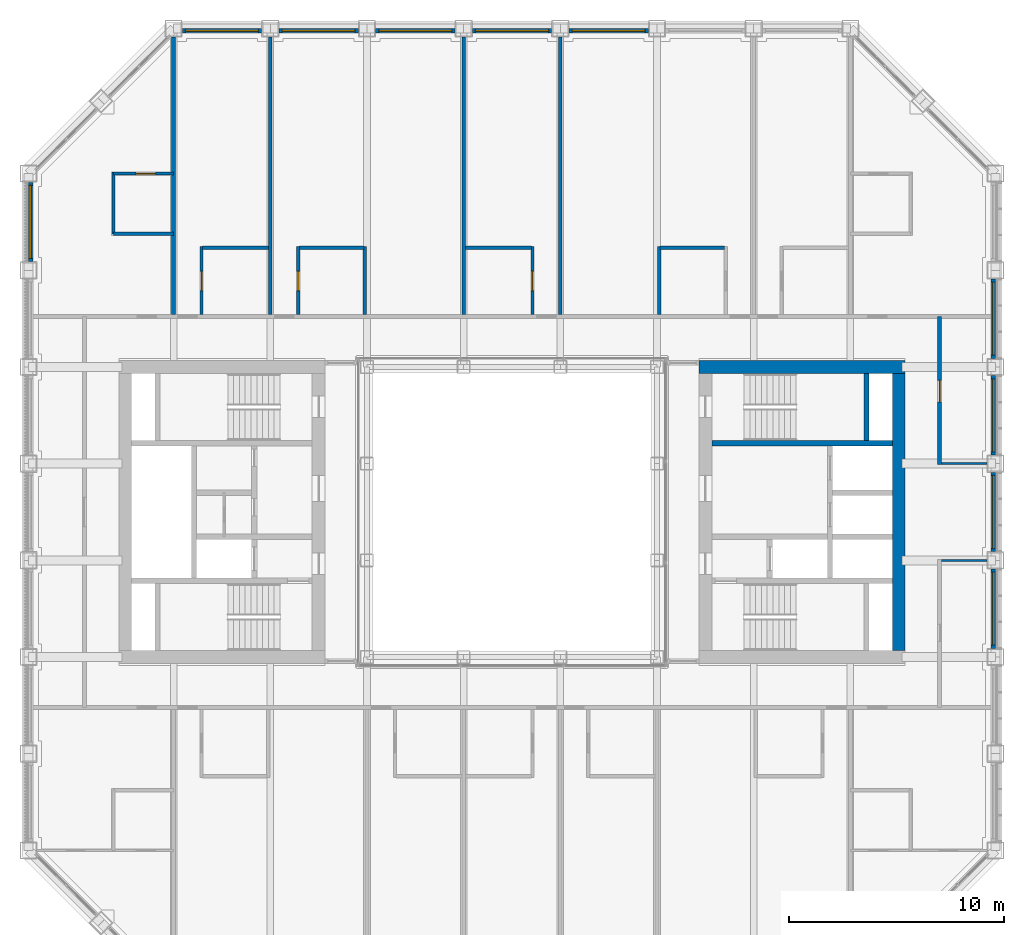
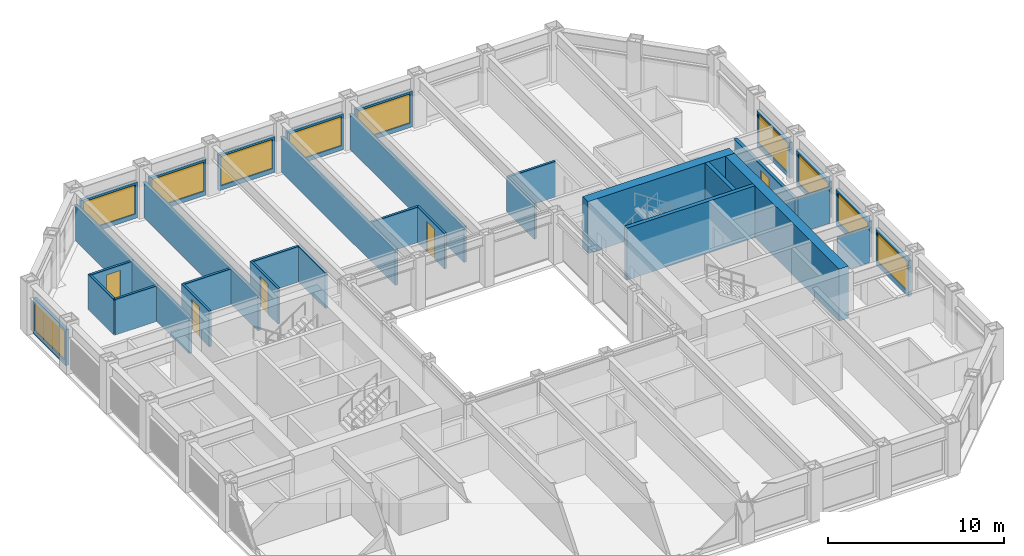
# One storey, part 13 of 17: 33 walls, 10 windows, 5 doors, 15 openings.
"""IFC4 building model written with IfcOpenShell, lengths in metres."""

from ifc_helpers import new_model, si_unit, direction, frame, frame_2d, origin, place, context, subcontext, project, spatial, rectangle, extrude, material, layer, layer_set, type_object, element, fill, save


model = new_model("IFC4")

# Units and contexts
model_context = context("Model", 3, precision=1e-05, world=origin(), true_north=direction((0.0, 1.0)))
body_context = subcontext(model_context, "Body", "Model", "MODEL_VIEW")
ifc_project = project(units=[si_unit("LENGTHUNIT", "METRE"), si_unit("AREAUNIT", "SQUARE_METRE"), si_unit("VOLUMEUNIT", "CUBIC_METRE"), si_unit("PLANEANGLEUNIT", "RADIAN"), si_unit("MASSUNIT", "GRAM", prefix="KILO")], contexts=[model_context])

# Site, building, storey
site_placement = place(None, origin())
site = spatial("IfcSite", under=ifc_project, at=site_placement, CompositionType="ELEMENT")
building_placement = place(site_placement, origin())
building = spatial("IfcBuilding", under=site, at=building_placement, Name="Msasa Ring Tower", CompositionType="ELEMENT")
storey_placement = place(building_placement, frame((0.0, 0.0, 158.0)))
storey = spatial("IfcBuildingStorey", under=building, at=storey_placement, Name="L41", CompositionType="ELEMENT", Elevation=158.0)

# Walls
ifc_material_1 = material(Name="Concrete C60/75", Category="concrete")
ifc_layer_1 = layer(ifc_material_1, 0.60009765625)
ifc_layer_set_1 = layer_set([ifc_layer_1], Name="CW2 CORE WALL 600")
wall_type_1 = type_object("IfcWallType", Name="CW2 CORE WALL 600", PredefinedType="SHEAR", material=ifc_layer_set_1)
wall_1_placement = place(storey_placement, frame((8.699951171875, 6.75, 0.0), z_axis=(0.0, 0.0, 1.0), x_axis=(1.0, 0.0, 0.0)))
element("IfcWall", 1, at=wall_1_placement, inside=storey, type_object=wall_type_1, Name="E core wall N L41", PredefinedType="SHEAR", context=body_context, shape_type="SweptSolid", body=[
    extrude(rectangle(XDim=9.60009765625, YDim=0.60009765625, at=frame_2d((4.800048828125, 0.0))), origin(), (0.0, 0.0, 1.0), 3.60009765625),
])
wall_2_placement = place(storey_placement, frame((18.0, -6.449951171875, 0.0), z_axis=(0.0, 0.0, 1.0), x_axis=(0.0, 1.0, 0.0)))
element("IfcWall", 2, at=wall_2_placement, inside=storey, type_object=wall_type_1, Name="E core wall E L41", PredefinedType="SHEAR", context=body_context, shape_type="SweptSolid", body=[
    extrude(rectangle(XDim=12.89990234375, YDim=0.60009765625, at=frame_2d((6.449951171875, 0.0))), origin(), (0.0, 0.0, 1.0), 3.60009765625),
])
ifc_material_2 = material(Name="Concrete C60/75", Category="concrete")
ifc_layer_2 = layer(ifc_material_2, 0.25)
ifc_layer_set_2 = layer_set([ifc_layer_2], Name="CW4 CORE INNER WALL 250")
wall_type_2 = type_object("IfcWallType", Name="CW4 CORE INNER WALL 250", PredefinedType="SHEAR", material=ifc_layer_set_2)
wall_3_placement = place(storey_placement, frame((9.300048828125, 3.199951171875, 0.0), z_axis=(0.0, 0.0, 1.0), x_axis=(1.0, 0.0, 0.0)))
element("IfcWall", 3, at=wall_3_placement, inside=storey, type_object=wall_type_2, Name="E core wall STAIRB L41", PredefinedType="SHEAR", context=body_context, shape_type="SweptSolid", body=[
    extrude(rectangle(XDim=8.39990234375, YDim=0.25, at=frame_2d((4.199951171875, 0.0))), origin(), (0.0, 0.0, 1.0), 3.60009765625),
])
wall_4_placement = place(storey_placement, frame((16.5, 3.324951171875, 0.0), z_axis=(0.0, 0.0, 1.0), x_axis=(0.0, 1.0, 0.0)))
element("IfcWall", 4, at=wall_4_placement, inside=storey, type_object=wall_type_2, Name="E core wall RISERB L41", PredefinedType="SHEAR", context=body_context, shape_type="SweptSolid", body=[
    extrude(rectangle(XDim=3.125, YDim=0.25, at=frame_2d((1.5625, 0.0))), origin(), (0.0, 0.0, 1.0), 3.60009765625),
])

# Wall, opening, window
ifc_material_3 = material(Name="Terracotta rainscreen on blockwork", Category="masonry")
ifc_layer_3 = layer(ifc_material_3, 0.199951171875)
ifc_layer_set_3 = layer_set([ifc_layer_3], Name="FW1 TERRACOTTA-LINED INFILL BAY WALL 200")
wall_type_3 = type_object("IfcWallType", Name="FW1 TERRACOTTA-LINED INFILL BAY WALL 200", PredefinedType="SOLIDWALL", material=ifc_layer_set_3)
wall_5_placement = place(storey_placement, frame((22.39990234375, -6.344970703125, 0.0), z_axis=(0.0, 0.0, 1.0), x_axis=(0.0, 1.0, 0.0)))
wall_5 = element("IfcWall", 5, at=wall_5_placement, inside=storey, type_object=wall_type_3, Name="Infill bay wall E L41 11", PredefinedType="SOLIDWALL", context=body_context, shape_type="SweptSolid", body=[
    extrude(rectangle(XDim=3.68994140625, YDim=0.199951171875, at=frame_2d((1.844970703125, 0.0))), origin(), (0.0, 0.0, 1.0), 2.47900390625),
])
opening_1_placement = place(wall_5_placement, frame((0.14501953125, 0.0, 0.300048828125)))
opening_1 = element("IfcOpeningElement", 6, at=opening_1_placement, cuts=wall_5, Name="Opening WN2", PredefinedType="OPENING", context=body_context, shape_type="SweptSolid", body=[
    extrude(rectangle(XDim=3.39990234375, YDim=2.029052734375, at=frame_2d((1.699951171875, 1.0146484375))), frame((0.0, 0.10986328125, 0.0), z_axis=(0.0, -1.0, 0.0), x_axis=(1.0, 0.0, 0.0)), (0.0, 0.0, 1.0), 0.219970703125),
])
ifc_material_4 = material(Name="Aluminium frame with clear glass", Category="aluminium")
window_type = type_object("IfcWindowType", Name="WN2 GUEST ROOM WINDOW 3400x2029", PartitioningType="SINGLE_PANEL", PredefinedType="WINDOW", material=ifc_material_4)
window_1_placement = place(opening_1_placement, origin())
window_1 = element("IfcWindow", 7, at=window_1_placement, inside=storey, type_object=window_type, Name="Window E L41 11", OverallHeight=2.029052734375, OverallWidth=3.39990234375, PartitioningType="SINGLE_PANEL", PredefinedType="WINDOW", context=body_context, shape_type="SweptSolid", body=[
    extrude(rectangle(XDim=3.39990234375, YDim=2.029052734375, at=frame_2d((1.699951171875, 1.0146484375))), frame((0.0, 0.030029296875, 0.0), z_axis=(0.0, -1.0, 0.0), x_axis=(1.0, 0.0, 0.0)), (0.0, 0.0, 1.0), 0.06005859375),
])
fill(opening_1, window_1)

wall_6_placement = place(storey_placement, frame((22.39990234375, -1.844970703125, 0.0), z_axis=(0.0, 0.0, 1.0), x_axis=(0.0, 1.0, 0.0)))
wall_6 = element("IfcWall", 8, at=wall_6_placement, inside=storey, type_object=wall_type_3, Name="Infill bay wall E L41 12", PredefinedType="SOLIDWALL", context=body_context, shape_type="SweptSolid", body=[
    extrude(rectangle(XDim=3.68994140625, YDim=0.199951171875, at=frame_2d((1.844970703125, 0.0))), origin(), (0.0, 0.0, 1.0), 2.47900390625),
])
opening_2_placement = place(wall_6_placement, frame((0.14501953125, 0.0, 0.300048828125)))
opening_2 = element("IfcOpeningElement", 9, at=opening_2_placement, cuts=wall_6, Name="Opening WN2", PredefinedType="OPENING", context=body_context, shape_type="SweptSolid", body=[
    extrude(rectangle(XDim=3.39990234375, YDim=2.029052734375, at=frame_2d((1.699951171875, 1.0146484375))), frame((0.0, 0.10986328125, 0.0), z_axis=(0.0, -1.0, 0.0), x_axis=(1.0, 0.0, 0.0)), (0.0, 0.0, 1.0), 0.219970703125),
])
window_2_placement = place(opening_2_placement, origin())
window_2 = element("IfcWindow", 10, at=window_2_placement, inside=storey, type_object=window_type, Name="Window E L41 12", OverallHeight=2.029052734375, OverallWidth=3.39990234375, PartitioningType="SINGLE_PANEL", PredefinedType="WINDOW", context=body_context, shape_type="SweptSolid", body=[
    extrude(rectangle(XDim=3.39990234375, YDim=2.029052734375, at=frame_2d((1.699951171875, 1.0146484375))), frame((0.0, 0.030029296875, 0.0), z_axis=(0.0, -1.0, 0.0), x_axis=(1.0, 0.0, 0.0)), (0.0, 0.0, 1.0), 0.06005859375),
])
fill(opening_2, window_2)

wall_7_placement = place(storey_placement, frame((22.39990234375, 2.655029296875, 0.0), z_axis=(0.0, 0.0, 1.0), x_axis=(0.0, 1.0, 0.0)))
wall_7 = element("IfcWall", 11, at=wall_7_placement, inside=storey, type_object=wall_type_3, Name="Infill bay wall E L41 13", PredefinedType="SOLIDWALL", context=body_context, shape_type="SweptSolid", body=[
    extrude(rectangle(XDim=3.68994140625, YDim=0.199951171875, at=frame_2d((1.844970703125, 0.0))), origin(), (0.0, 0.0, 1.0), 2.47900390625),
])
opening_3_placement = place(wall_7_placement, frame((0.14501953125, 0.0, 0.300048828125)))
opening_3 = element("IfcOpeningElement", 12, at=opening_3_placement, cuts=wall_7, Name="Opening WN2", PredefinedType="OPENING", context=body_context, shape_type="SweptSolid", body=[
    extrude(rectangle(XDim=3.39990234375, YDim=2.029052734375, at=frame_2d((1.699951171875, 1.0146484375))), frame((0.0, 0.10986328125, 0.0), z_axis=(0.0, -1.0, 0.0), x_axis=(1.0, 0.0, 0.0)), (0.0, 0.0, 1.0), 0.219970703125),
])
window_3_placement = place(opening_3_placement, origin())
window_3 = element("IfcWindow", 13, at=window_3_placement, inside=storey, type_object=window_type, Name="Window E L41 13", OverallHeight=2.029052734375, OverallWidth=3.39990234375, PartitioningType="SINGLE_PANEL", PredefinedType="WINDOW", context=body_context, shape_type="SweptSolid", body=[
    extrude(rectangle(XDim=3.39990234375, YDim=2.029052734375, at=frame_2d((1.699951171875, 1.0146484375))), frame((0.0, 0.030029296875, 0.0), z_axis=(0.0, -1.0, 0.0), x_axis=(1.0, 0.0, 0.0)), (0.0, 0.0, 1.0), 0.06005859375),
])
fill(opening_3, window_3)

wall_8_placement = place(storey_placement, frame((22.39990234375, 7.155029296875, 0.0), z_axis=(0.0, 0.0, 1.0), x_axis=(0.0, 1.0, 0.0)))
wall_8 = element("IfcWall", 14, at=wall_8_placement, inside=storey, type_object=wall_type_3, Name="Infill bay wall E L41 14", PredefinedType="SOLIDWALL", context=body_context, shape_type="SweptSolid", body=[
    extrude(rectangle(XDim=3.68994140625, YDim=0.199951171875, at=frame_2d((1.844970703125, 0.0))), origin(), (0.0, 0.0, 1.0), 2.47900390625),
])
opening_4_placement = place(wall_8_placement, frame((0.14501953125, 0.0, 0.300048828125)))
opening_4 = element("IfcOpeningElement", 15, at=opening_4_placement, cuts=wall_8, Name="Opening WN2", PredefinedType="OPENING", context=body_context, shape_type="SweptSolid", body=[
    extrude(rectangle(XDim=3.39990234375, YDim=2.029052734375, at=frame_2d((1.699951171875, 1.0146484375))), frame((0.0, 0.10986328125, 0.0), z_axis=(0.0, -1.0, 0.0), x_axis=(1.0, 0.0, 0.0)), (0.0, 0.0, 1.0), 0.219970703125),
])
window_4_placement = place(opening_4_placement, origin())
window_4 = element("IfcWindow", 16, at=window_4_placement, inside=storey, type_object=window_type, Name="Window E L41 14", OverallHeight=2.029052734375, OverallWidth=3.39990234375, PartitioningType="SINGLE_PANEL", PredefinedType="WINDOW", context=body_context, shape_type="SweptSolid", body=[
    extrude(rectangle(XDim=3.39990234375, YDim=2.029052734375, at=frame_2d((1.699951171875, 1.0146484375))), frame((0.0, 0.030029296875, 0.0), z_axis=(0.0, -1.0, 0.0), x_axis=(1.0, 0.0, 0.0)), (0.0, 0.0, 1.0), 0.06005859375),
])
fill(opening_4, window_4)

wall_9_placement = place(storey_placement, frame((-15.344970703125, 22.39990234375, 0.0), z_axis=(0.0, 0.0, 1.0), x_axis=(1.0, 0.0, 0.0)))
wall_9 = element("IfcWall", 17, at=wall_9_placement, inside=storey, type_object=wall_type_3, Name="Infill bay wall N L41 18", PredefinedType="SOLIDWALL", context=body_context, shape_type="SweptSolid", body=[
    extrude(rectangle(XDim=3.68994140625, YDim=0.199951171875, at=frame_2d((1.844970703125, 0.0))), origin(), (0.0, 0.0, 1.0), 2.47900390625),
])
opening_5_placement = place(wall_9_placement, frame((0.14501953125, 0.0, 0.300048828125)))
opening_5 = element("IfcOpeningElement", 18, at=opening_5_placement, cuts=wall_9, Name="Opening WN2", PredefinedType="OPENING", context=body_context, shape_type="SweptSolid", body=[
    extrude(rectangle(XDim=3.39990234375, YDim=2.029052734375, at=frame_2d((1.699951171875, 1.0146484375))), frame((0.0, 0.10986328125, 0.0), z_axis=(0.0, -1.0, 0.0), x_axis=(1.0, 0.0, 0.0)), (0.0, 0.0, 1.0), 0.219970703125),
])
window_5_placement = place(opening_5_placement, origin())
window_5 = element("IfcWindow", 19, at=window_5_placement, inside=storey, type_object=window_type, Name="Window N L41 18", OverallHeight=2.029052734375, OverallWidth=3.39990234375, PartitioningType="SINGLE_PANEL", PredefinedType="WINDOW", context=body_context, shape_type="SweptSolid", body=[
    extrude(rectangle(XDim=3.39990234375, YDim=2.029052734375, at=frame_2d((1.699951171875, 1.0146484375))), frame((0.0, 0.030029296875, 0.0), z_axis=(0.0, -1.0, 0.0), x_axis=(1.0, 0.0, 0.0)), (0.0, 0.0, 1.0), 0.06005859375),
])
fill(opening_5, window_5)

wall_10_placement = place(storey_placement, frame((-10.844970703125, 22.39990234375, 0.0), z_axis=(0.0, 0.0, 1.0), x_axis=(1.0, 0.0, 0.0)))
wall_10 = element("IfcWall", 20, at=wall_10_placement, inside=storey, type_object=wall_type_3, Name="Infill bay wall N L41 19", PredefinedType="SOLIDWALL", context=body_context, shape_type="SweptSolid", body=[
    extrude(rectangle(XDim=3.68994140625, YDim=0.199951171875, at=frame_2d((1.844970703125, 0.0))), origin(), (0.0, 0.0, 1.0), 2.47900390625),
])
opening_6_placement = place(wall_10_placement, frame((0.14501953125, 0.0, 0.300048828125)))
opening_6 = element("IfcOpeningElement", 21, at=opening_6_placement, cuts=wall_10, Name="Opening WN2", PredefinedType="OPENING", context=body_context, shape_type="SweptSolid", body=[
    extrude(rectangle(XDim=3.39990234375, YDim=2.029052734375, at=frame_2d((1.699951171875, 1.0146484375))), frame((0.0, 0.10986328125, 0.0), z_axis=(0.0, -1.0, 0.0), x_axis=(1.0, 0.0, 0.0)), (0.0, 0.0, 1.0), 0.219970703125),
])
window_6_placement = place(opening_6_placement, origin())
window_6 = element("IfcWindow", 22, at=window_6_placement, inside=storey, type_object=window_type, Name="Window N L41 19", OverallHeight=2.029052734375, OverallWidth=3.39990234375, PartitioningType="SINGLE_PANEL", PredefinedType="WINDOW", context=body_context, shape_type="SweptSolid", body=[
    extrude(rectangle(XDim=3.39990234375, YDim=2.029052734375, at=frame_2d((1.699951171875, 1.0146484375))), frame((0.0, 0.030029296875, 0.0), z_axis=(0.0, -1.0, 0.0), x_axis=(1.0, 0.0, 0.0)), (0.0, 0.0, 1.0), 0.06005859375),
])
fill(opening_6, window_6)

wall_11_placement = place(storey_placement, frame((-6.344970703125, 22.39990234375, 0.0), z_axis=(0.0, 0.0, 1.0), x_axis=(1.0, 0.0, 0.0)))
wall_11 = element("IfcWall", 23, at=wall_11_placement, inside=storey, type_object=wall_type_3, Name="Infill bay wall N L41 20", PredefinedType="SOLIDWALL", context=body_context, shape_type="SweptSolid", body=[
    extrude(rectangle(XDim=3.68994140625, YDim=0.199951171875, at=frame_2d((1.844970703125, 0.0))), origin(), (0.0, 0.0, 1.0), 2.47900390625),
])
opening_7_placement = place(wall_11_placement, frame((0.14501953125, 0.0, 0.300048828125)))
opening_7 = element("IfcOpeningElement", 24, at=opening_7_placement, cuts=wall_11, Name="Opening WN2", PredefinedType="OPENING", context=body_context, shape_type="SweptSolid", body=[
    extrude(rectangle(XDim=3.39990234375, YDim=2.029052734375, at=frame_2d((1.699951171875, 1.0146484375))), frame((0.0, 0.10986328125, 0.0), z_axis=(0.0, -1.0, 0.0), x_axis=(1.0, 0.0, 0.0)), (0.0, 0.0, 1.0), 0.219970703125),
])
window_7_placement = place(opening_7_placement, origin())
window_7 = element("IfcWindow", 25, at=window_7_placement, inside=storey, type_object=window_type, Name="Window N L41 20", OverallHeight=2.029052734375, OverallWidth=3.39990234375, PartitioningType="SINGLE_PANEL", PredefinedType="WINDOW", context=body_context, shape_type="SweptSolid", body=[
    extrude(rectangle(XDim=3.39990234375, YDim=2.029052734375, at=frame_2d((1.699951171875, 1.0146484375))), frame((0.0, 0.030029296875, 0.0), z_axis=(0.0, -1.0, 0.0), x_axis=(1.0, 0.0, 0.0)), (0.0, 0.0, 1.0), 0.06005859375),
])
fill(opening_7, window_7)

wall_12_placement = place(storey_placement, frame((-1.844970703125, 22.39990234375, 0.0), z_axis=(0.0, 0.0, 1.0), x_axis=(1.0, 0.0, 0.0)))
wall_12 = element("IfcWall", 26, at=wall_12_placement, inside=storey, type_object=wall_type_3, Name="Infill bay wall N L41 21", PredefinedType="SOLIDWALL", context=body_context, shape_type="SweptSolid", body=[
    extrude(rectangle(XDim=3.68994140625, YDim=0.199951171875, at=frame_2d((1.844970703125, 0.0))), origin(), (0.0, 0.0, 1.0), 2.47900390625),
])
opening_8_placement = place(wall_12_placement, frame((0.14501953125, 0.0, 0.300048828125)))
opening_8 = element("IfcOpeningElement", 27, at=opening_8_placement, cuts=wall_12, Name="Opening WN2", PredefinedType="OPENING", context=body_context, shape_type="SweptSolid", body=[
    extrude(rectangle(XDim=3.39990234375, YDim=2.029052734375, at=frame_2d((1.699951171875, 1.0146484375))), frame((0.0, 0.10986328125, 0.0), z_axis=(0.0, -1.0, 0.0), x_axis=(1.0, 0.0, 0.0)), (0.0, 0.0, 1.0), 0.219970703125),
])
window_8_placement = place(opening_8_placement, origin())
window_8 = element("IfcWindow", 28, at=window_8_placement, inside=storey, type_object=window_type, Name="Window N L41 21", OverallHeight=2.029052734375, OverallWidth=3.39990234375, PartitioningType="SINGLE_PANEL", PredefinedType="WINDOW", context=body_context, shape_type="SweptSolid", body=[
    extrude(rectangle(XDim=3.39990234375, YDim=2.029052734375, at=frame_2d((1.699951171875, 1.0146484375))), frame((0.0, 0.030029296875, 0.0), z_axis=(0.0, -1.0, 0.0), x_axis=(1.0, 0.0, 0.0)), (0.0, 0.0, 1.0), 0.06005859375),
])
fill(opening_8, window_8)

wall_13_placement = place(storey_placement, frame((2.655029296875, 22.39990234375, 0.0), z_axis=(0.0, 0.0, 1.0), x_axis=(1.0, 0.0, 0.0)))
wall_13 = element("IfcWall", 29, at=wall_13_placement, inside=storey, type_object=wall_type_3, Name="Infill bay wall N L41 22", PredefinedType="SOLIDWALL", context=body_context, shape_type="SweptSolid", body=[
    extrude(rectangle(XDim=3.68994140625, YDim=0.199951171875, at=frame_2d((1.844970703125, 0.0))), origin(), (0.0, 0.0, 1.0), 2.47900390625),
])
opening_9_placement = place(wall_13_placement, frame((0.14501953125, 0.0, 0.300048828125)))
opening_9 = element("IfcOpeningElement", 30, at=opening_9_placement, cuts=wall_13, Name="Opening WN2", PredefinedType="OPENING", context=body_context, shape_type="SweptSolid", body=[
    extrude(rectangle(XDim=3.39990234375, YDim=2.029052734375, at=frame_2d((1.699951171875, 1.0146484375))), frame((0.0, 0.10986328125, 0.0), z_axis=(0.0, -1.0, 0.0), x_axis=(1.0, 0.0, 0.0)), (0.0, 0.0, 1.0), 0.219970703125),
])
window_9_placement = place(opening_9_placement, origin())
window_9 = element("IfcWindow", 31, at=window_9_placement, inside=storey, type_object=window_type, Name="Window N L41 22", OverallHeight=2.029052734375, OverallWidth=3.39990234375, PartitioningType="SINGLE_PANEL", PredefinedType="WINDOW", context=body_context, shape_type="SweptSolid", body=[
    extrude(rectangle(XDim=3.39990234375, YDim=2.029052734375, at=frame_2d((1.699951171875, 1.0146484375))), frame((0.0, 0.030029296875, 0.0), z_axis=(0.0, -1.0, 0.0), x_axis=(1.0, 0.0, 0.0)), (0.0, 0.0, 1.0), 0.06005859375),
])
fill(opening_9, window_9)

wall_14_placement = place(storey_placement, frame((-22.39990234375, 11.655029296875, 0.0), z_axis=(0.0, 0.0, 1.0), x_axis=(0.0, 1.0, 0.0)))
wall_14 = element("IfcWall", 32, at=wall_14_placement, inside=storey, type_object=wall_type_3, Name="Infill bay wall W L41 33", PredefinedType="SOLIDWALL", context=body_context, shape_type="SweptSolid", body=[
    extrude(rectangle(XDim=3.68994140625, YDim=0.199951171875, at=frame_2d((1.844970703125, 0.0))), origin(), (0.0, 0.0, 1.0), 2.47900390625),
])
opening_10_placement = place(wall_14_placement, frame((0.14501953125, 0.0, 0.300048828125)))
opening_10 = element("IfcOpeningElement", 33, at=opening_10_placement, cuts=wall_14, Name="Opening WN2", PredefinedType="OPENING", context=body_context, shape_type="SweptSolid", body=[
    extrude(rectangle(XDim=3.39990234375, YDim=2.029052734375, at=frame_2d((1.699951171875, 1.0146484375))), frame((0.0, 0.10986328125, 0.0), z_axis=(0.0, -1.0, 0.0), x_axis=(1.0, 0.0, 0.0)), (0.0, 0.0, 1.0), 0.219970703125),
])
window_10_placement = place(opening_10_placement, origin())
window_10 = element("IfcWindow", 34, at=window_10_placement, inside=storey, type_object=window_type, Name="Window W L41 33", OverallHeight=2.029052734375, OverallWidth=3.39990234375, PartitioningType="SINGLE_PANEL", PredefinedType="WINDOW", context=body_context, shape_type="SweptSolid", body=[
    extrude(rectangle(XDim=3.39990234375, YDim=2.029052734375, at=frame_2d((1.699951171875, 1.0146484375))), frame((0.0, 0.030029296875, 0.0), z_axis=(0.0, -1.0, 0.0), x_axis=(1.0, 0.0, 0.0)), (0.0, 0.0, 1.0), 0.06005859375),
])
fill(opening_10, window_10)

# Wall, opening, door
ifc_material_5 = material(Name="Concrete blockwork", Category="masonry")
ifc_layer_4 = layer(ifc_material_5, 0.199951171875)
ifc_layer_set_4 = layer_set([ifc_layer_4], Name="PT1 CORRIDOR WALL 200")
wall_type_4 = type_object("IfcWallType", Name="PT1 CORRIDOR WALL 200", PredefinedType="PARTITIONING", material=ifc_layer_set_4)
wall_15_placement = place(storey_placement, frame((19.89990234375, 2.199951171875, 0.0), z_axis=(0.0, 0.0, 1.0), x_axis=(0.0, 1.0, 0.0)))
wall_15 = element("IfcWall", 35, at=wall_15_placement, inside=storey, type_object=wall_type_4, Name="Corridor wall L41-STREN", PredefinedType="PARTITIONING", context=body_context, shape_type="SweptSolid", body=[
    extrude(rectangle(XDim=6.900146484375, YDim=0.199951171875, at=frame_2d((3.4501953125, 0.0))), origin(), (0.0, 0.0, 1.0), 2.473388671875),
])
opening_11_placement = place(wall_15_placement, frame((2.925048828125, 0.0, 0.0)))
opening_11 = element("IfcOpeningElement", 36, at=opening_11_placement, cuts=wall_15, Name="Opening HD-017", PredefinedType="OPENING", context=body_context, shape_type="SweptSolid", body=[
    extrude(rectangle(XDim=1.0, YDim=2.10009765625, at=frame_2d((0.5, 1.050048828125))), frame((0.0, 0.10986328125, 0.0), z_axis=(0.0, -1.0, 0.0), x_axis=(1.0, 0.0, 0.0)), (0.0, 0.0, 1.0), 0.219970703125),
])
ifc_material_6 = material(Name="Timber door leaf in a steel frame", Category="steel")
door_type_1 = type_object("IfcDoorType", Name="D10 STORE DOOR 1000x2100", OperationType="SINGLE_SWING_LEFT", PredefinedType="DOOR", material=ifc_material_6)
door_1_placement = place(opening_11_placement, origin())
door_1 = element("IfcDoor", 37, at=door_1_placement, inside=storey, type_object=door_type_1, Name="Door L41-LGE", OperationType="SINGLE_SWING_LEFT", OverallHeight=2.10009765625, OverallWidth=1.0, PredefinedType="DOOR", context=body_context, shape_type="SweptSolid", body=[
    extrude(rectangle(XDim=1.0, YDim=2.10009765625, at=frame_2d((0.5, 1.050048828125))), frame((0.0, 0.02490234375, 0.0), z_axis=(0.0, -1.0, 0.0), x_axis=(1.0, 0.0, 0.0)), (0.0, 0.0, 1.0), 0.050048828125),
])
fill(opening_11, door_1)

# Walls
ifc_material_7 = material(Name="Gypsum board on steel studs", Category="steel")
ifc_layer_5 = layer(ifc_material_7, 0.10009765625)
ifc_layer_set_5 = layer_set([ifc_layer_5], Name="PT2 STUD PARTITION 100")
wall_type_5 = type_object("IfcWallType", Name="PT2 STUD PARTITION 100", PredefinedType="PARTITIONING", material=ifc_layer_set_5)
for number, where, z_axis, x_axis, name in (
    (38, (20.0, 2.25, 0.0), (0.0, 0.0, 1.0), (1.0, 0.0, 0.0), "Partition L41-ALEN"),
    (39, (20.0, -2.25, 0.0), (0.0, 0.0, 1.0), (1.0, 0.0, 0.0), "Partition L41-ALES"),
):
    element("IfcWall", number, at=place(storey_placement, frame(where, z_axis=z_axis, x_axis=x_axis)), inside=storey, type_object=wall_type_5, Name=name, PredefinedType="PARTITIONING", context=body_context, shape_type="SweptSolid", body=[
        extrude(rectangle(XDim=2.10009765625, YDim=0.10009765625, at=frame_2d((1.050048828125, 0.0))), origin(), (0.0, 0.0, 1.0), 2.473388671875),
    ])

# Wall, opening, door
ifc_material_8 = material(Name="Moisture-resistant board on steel studs with a concealed cistern and pipe void, tiled", Category="steel")
ifc_layer_6 = layer(ifc_material_8, 0.14990234375)
ifc_layer_set_6 = layer_set([ifc_layer_6], Name="PT4 BATHROOM WET WALL 150")
wall_type_6 = type_object("IfcWallType", Name="PT4 BATHROOM WET WALL 150", PredefinedType="PARTITIONING", material=ifc_layer_set_6)
wall_16_placement = place(storey_placement, frame((-14.449951171875, 9.199951171875, 0.0), z_axis=(0.0, 0.0, 1.0), x_axis=(0.0, 1.0, 0.0)))
wall_16 = element("IfcWall", 40, at=wall_16_placement, inside=storey, type_object=wall_type_6, Name="Partition L41-GN00BX", PredefinedType="PARTITIONING", context=body_context, shape_type="SweptSolid", body=[
    extrude(rectangle(XDim=3.150146484375, YDim=0.14990234375, at=frame_2d((1.5751953125, 0.0))), origin(), (0.0, 0.0, 1.0), 2.473388671875),
])
opening_12_placement = place(wall_16_placement, frame((1.10009765625, 0.0, 0.0)))
opening_12 = element("IfcOpeningElement", 41, at=opening_12_placement, cuts=wall_16, Name="Opening HD-003", PredefinedType="OPENING", context=body_context, shape_type="SweptSolid", body=[
    extrude(rectangle(XDim=0.89990234375, YDim=2.10009765625, at=frame_2d((0.449951171875, 1.050048828125))), frame((0.0, 0.0849609375, 0.0), z_axis=(0.0, -1.0, 0.0), x_axis=(1.0, 0.0, 0.0)), (0.0, 0.0, 1.0), 0.169921875),
])
ifc_material_9 = material(Name="Timber door leaf in a steel frame", Category="steel")
door_type_2 = type_object("IfcDoorType", Name="D3 BATHROOM DOOR 900x2100", OperationType="SINGLE_SWING_LEFT", PredefinedType="DOOR", material=ifc_material_9)
door_2_placement = place(opening_12_placement, origin())
door_2 = element("IfcDoor", 42, at=door_2_placement, inside=storey, type_object=door_type_2, Name="Door L41-GN00B", OperationType="SINGLE_SWING_LEFT", OverallHeight=2.10009765625, OverallWidth=0.89990234375, PredefinedType="DOOR", context=body_context, shape_type="SweptSolid", body=[
    extrude(rectangle(XDim=0.89990234375, YDim=2.10009765625, at=frame_2d((0.449951171875, 1.050048828125))), frame((0.0, 0.02490234375, 0.0), z_axis=(0.0, -1.0, 0.0), x_axis=(1.0, 0.0, 0.0)), (0.0, 0.0, 1.0), 0.050048828125),
])
fill(opening_12, door_2)

# Wall
wall_17_placement = place(storey_placement, frame((-14.39990234375, 12.300048828125, 0.0), z_axis=(0.0, 0.0, 1.0), x_axis=(1.0, 0.0, 0.0)))
element("IfcWall", 43, at=wall_17_placement, inside=storey, type_object=wall_type_6, Name="Partition L41-GN00BY", PredefinedType="PARTITIONING", context=body_context, shape_type="SweptSolid", body=[
    extrude(rectangle(XDim=3.0625, YDim=0.14990234375, at=frame_2d((1.53125, 0.0))), origin(), (0.0, 0.0, 1.0), 2.473388671875),
])

# Wall, opening, door
wall_18_placement = place(storey_placement, frame((-9.949951171875, 9.199951171875, 0.0), z_axis=(0.0, 0.0, 1.0), x_axis=(0.0, 1.0, 0.0)))
wall_18 = element("IfcWall", 44, at=wall_18_placement, inside=storey, type_object=wall_type_6, Name="Partition L41-GN01BX", PredefinedType="PARTITIONING", context=body_context, shape_type="SweptSolid", body=[
    extrude(rectangle(XDim=3.150146484375, YDim=0.14990234375, at=frame_2d((1.5751953125, 0.0))), origin(), (0.0, 0.0, 1.0), 2.473388671875),
])
opening_13_placement = place(wall_18_placement, frame((1.10009765625, 0.0, 0.0)))
opening_13 = element("IfcOpeningElement", 45, at=opening_13_placement, cuts=wall_18, Name="Opening HD-004", PredefinedType="OPENING", context=body_context, shape_type="SweptSolid", body=[
    extrude(rectangle(XDim=0.89990234375, YDim=2.10009765625, at=frame_2d((0.449951171875, 1.050048828125))), frame((0.0, 0.0849609375, 0.0), z_axis=(0.0, -1.0, 0.0), x_axis=(1.0, 0.0, 0.0)), (0.0, 0.0, 1.0), 0.169921875),
])
door_3_placement = place(opening_13_placement, origin())
door_3 = element("IfcDoor", 46, at=door_3_placement, inside=storey, type_object=door_type_2, Name="Door L41-GN01B", OperationType="SINGLE_SWING_LEFT", OverallHeight=2.10009765625, OverallWidth=0.89990234375, PredefinedType="DOOR", context=body_context, shape_type="SweptSolid", body=[
    extrude(rectangle(XDim=0.89990234375, YDim=2.10009765625, at=frame_2d((0.449951171875, 1.050048828125))), frame((0.0, 0.02490234375, 0.0), z_axis=(0.0, -1.0, 0.0), x_axis=(1.0, 0.0, 0.0)), (0.0, 0.0, 1.0), 0.050048828125),
])
fill(opening_13, door_3)

# Walls
wall_19_placement = place(storey_placement, frame((-6.85009765625, 9.199951171875, 0.0), z_axis=(0.0, 0.0, 1.0), x_axis=(0.0, 1.0, 0.0)))
element("IfcWall", 47, at=wall_19_placement, inside=storey, type_object=wall_type_6, Name="Partition L41-GN01BF", PredefinedType="PARTITIONING", context=body_context, shape_type="SweptSolid", body=[
    extrude(rectangle(XDim=3.150146484375, YDim=0.14990234375, at=frame_2d((1.5751953125, 0.0))), origin(), (0.0, 0.0, 1.0), 2.473388671875),
])
wall_20_placement = place(storey_placement, frame((-9.89990234375, 12.300048828125, 0.0), z_axis=(0.0, 0.0, 1.0), x_axis=(1.0, 0.0, 0.0)))
element("IfcWall", 48, at=wall_20_placement, inside=storey, type_object=wall_type_6, Name="Partition L41-GN01BY", PredefinedType="PARTITIONING", context=body_context, shape_type="SweptSolid", body=[
    extrude(rectangle(XDim=3.0, YDim=0.14990234375, at=frame_2d((1.5, 0.0))), origin(), (0.0, 0.0, 1.0), 2.473388671875),
])

# Wall, opening, door
wall_21_placement = place(storey_placement, frame((0.949951171875, 9.199951171875, 0.0), z_axis=(0.0, 0.0, 1.0), x_axis=(0.0, 1.0, 0.0)))
wall_21 = element("IfcWall", 49, at=wall_21_placement, inside=storey, type_object=wall_type_6, Name="Partition L41-GN02BX", PredefinedType="PARTITIONING", context=body_context, shape_type="SweptSolid", body=[
    extrude(rectangle(XDim=3.150146484375, YDim=0.14990234375, at=frame_2d((1.5751953125, 0.0))), origin(), (0.0, 0.0, 1.0), 2.473388671875),
])
opening_14_placement = place(wall_21_placement, frame((1.10009765625, 0.0, 0.0)))
opening_14 = element("IfcOpeningElement", 50, at=opening_14_placement, cuts=wall_21, Name="Opening HD-005", PredefinedType="OPENING", context=body_context, shape_type="SweptSolid", body=[
    extrude(rectangle(XDim=0.89990234375, YDim=2.10009765625, at=frame_2d((0.449951171875, 1.050048828125))), frame((0.0, 0.0849609375, 0.0), z_axis=(0.0, -1.0, 0.0), x_axis=(1.0, 0.0, 0.0)), (0.0, 0.0, 1.0), 0.169921875),
])
door_4_placement = place(opening_14_placement, origin())
door_4 = element("IfcDoor", 51, at=door_4_placement, inside=storey, type_object=door_type_2, Name="Door L41-GN02B", OperationType="SINGLE_SWING_LEFT", OverallHeight=2.10009765625, OverallWidth=0.89990234375, PredefinedType="DOOR", context=body_context, shape_type="SweptSolid", body=[
    extrude(rectangle(XDim=0.89990234375, YDim=2.10009765625, at=frame_2d((0.449951171875, 1.050048828125))), frame((0.0, 0.02490234375, 0.0), z_axis=(0.0, -1.0, 0.0), x_axis=(1.0, 0.0, 0.0)), (0.0, 0.0, 1.0), 0.050048828125),
])
fill(opening_14, door_4)

# Walls
wall_22_placement = place(storey_placement, frame((-2.16259765625, 12.300048828125, 0.0), z_axis=(0.0, 0.0, 1.0), x_axis=(1.0, 0.0, 0.0)))
element("IfcWall", 52, at=wall_22_placement, inside=storey, type_object=wall_type_6, Name="Partition L41-GN02BY", PredefinedType="PARTITIONING", context=body_context, shape_type="SweptSolid", body=[
    extrude(rectangle(XDim=3.0625, YDim=0.14990234375, at=frame_2d((1.53125, 0.0))), origin(), (0.0, 0.0, 1.0), 2.473388671875),
])
wall_23_placement = place(storey_placement, frame((6.85009765625, 9.199951171875, 0.0), z_axis=(0.0, 0.0, 1.0), x_axis=(0.0, 1.0, 0.0)))
element("IfcWall", 53, at=wall_23_placement, inside=storey, type_object=wall_type_6, Name="Partition L41-GN03BF", PredefinedType="PARTITIONING", context=body_context, shape_type="SweptSolid", body=[
    extrude(rectangle(XDim=3.150146484375, YDim=0.14990234375, at=frame_2d((1.5751953125, 0.0))), origin(), (0.0, 0.0, 1.0), 2.473388671875),
])
wall_24_placement = place(storey_placement, frame((6.89990234375, 12.300048828125, 0.0), z_axis=(0.0, 0.0, 1.0), x_axis=(1.0, 0.0, 0.0)))
element("IfcWall", 54, at=wall_24_placement, inside=storey, type_object=wall_type_6, Name="Partition L41-GN03BY", PredefinedType="PARTITIONING", context=body_context, shape_type="SweptSolid", body=[
    extrude(rectangle(XDim=3.0, YDim=0.14990234375, at=frame_2d((1.5, 0.0))), origin(), (0.0, 0.0, 1.0), 2.473388671875),
])
wall_25_placement = place(storey_placement, frame((-18.550048828125, 12.949951171875, 0.0), z_axis=(0.0, 0.0, 1.0), x_axis=(0.0, 1.0, 0.0)))
element("IfcWall", 55, at=wall_25_placement, inside=storey, type_object=wall_type_6, Name="Partition L41-CSNWBX", PredefinedType="PARTITIONING", context=body_context, shape_type="SweptSolid", body=[
    extrude(rectangle(XDim=2.875, YDim=0.14990234375, at=frame_2d((1.4375, 0.0))), origin(), (0.0, 0.0, 1.0), 2.473388671875),
])
wall_26_placement = place(storey_placement, frame((-18.550048828125, 12.949951171875, 0.0), z_axis=(0.0, 0.0, 1.0), x_axis=(1.0, 0.0, 0.0)))
element("IfcWall", 56, at=wall_26_placement, inside=storey, type_object=wall_type_6, Name="Partition L41-CSNWBY", PredefinedType="PARTITIONING", context=body_context, shape_type="SweptSolid", body=[
    extrude(rectangle(XDim=2.800048828125, YDim=0.14990234375, at=frame_2d((1.39990234375, 0.0))), origin(), (0.0, 0.0, 1.0), 2.473388671875),
])

# Wall, opening, door
wall_27_placement = place(storey_placement, frame((-18.550048828125, 15.75, 0.0), z_axis=(0.0, 0.0, 1.0), x_axis=(1.0, 0.0, 0.0)))
wall_27 = element("IfcWall", 57, at=wall_27_placement, inside=storey, type_object=wall_type_6, Name="Partition L41-CSNWBZ", PredefinedType="PARTITIONING", context=body_context, shape_type="SweptSolid", body=[
    extrude(rectangle(XDim=2.800048828125, YDim=0.14990234375, at=frame_2d((1.39990234375, 0.0))), origin(), (0.0, 0.0, 1.0), 2.473388671875),
])
opening_15_placement = place(wall_27_placement, frame((1.050048828125, 0.0, 0.0)))
opening_15 = element("IfcOpeningElement", 58, at=opening_15_placement, cuts=wall_27, Name="Opening HD-001", PredefinedType="OPENING", context=body_context, shape_type="SweptSolid", body=[
    extrude(rectangle(XDim=0.89990234375, YDim=2.10009765625, at=frame_2d((0.449951171875, 1.050048828125))), frame((0.0, 0.0849609375, 0.0), z_axis=(0.0, -1.0, 0.0), x_axis=(1.0, 0.0, 0.0)), (0.0, 0.0, 1.0), 0.169921875),
])
door_5_placement = place(opening_15_placement, origin())
door_5 = element("IfcDoor", 59, at=door_5_placement, inside=storey, type_object=door_type_2, Name="Door L41-CSNWB1", OperationType="SINGLE_SWING_RIGHT", OverallHeight=2.10009765625, OverallWidth=0.89990234375, PredefinedType="DOOR", context=body_context, shape_type="SweptSolid", body=[
    extrude(rectangle(XDim=0.89990234375, YDim=2.10009765625, at=frame_2d((0.449951171875, 1.050048828125))), frame((0.0, 0.02490234375, 0.0), z_axis=(0.0, -1.0, 0.0), x_axis=(1.0, 0.0, 0.0)), (0.0, 0.0, 1.0), 0.050048828125),
])
fill(opening_15, door_5)

# Walls
ifc_material_10 = material(Name="Twin steel studs, two layers of acoustic board each face, mineral wool", Category="steel")
ifc_layer_7 = layer(ifc_material_10, 0.175048828125)
ifc_layer_set_7 = layer_set([ifc_layer_7], Name="PT5 GUEST ROOM SEPARATING WALL 175")
wall_type_7 = type_object("IfcWallType", Name="PT5 GUEST ROOM SEPARATING WALL 175", PredefinedType="PARTITIONING", material=ifc_layer_set_7)
for number, where, z_axis, x_axis, name in (
    (60, (-15.75, 9.199951171875, 0.0), (0.0, 0.0, 1.0), (0.0, 1.0, 0.0), "Partition L41-PWN-15.75"),
    (61, (-11.25, 9.199951171875, 0.0), (0.0, 0.0, 1.0), (0.0, 1.0, 0.0), "Partition L41-PWN-11.25"),
    (62, (-2.25, 9.199951171875, 0.0), (0.0, 0.0, 1.0), (0.0, 1.0, 0.0), "Partition L41-PWN-2.25"),
    (63, (2.25, 9.199951171875, 0.0), (0.0, 0.0, 1.0), (0.0, 1.0, 0.0), "Partition L41-PWN+2.25"),
):
    element("IfcWall", number, at=place(storey_placement, frame(where, z_axis=z_axis, x_axis=x_axis)), inside=storey, type_object=wall_type_7, Name=name, PredefinedType="PARTITIONING", context=body_context, shape_type="SweptSolid", body=[
        extrude(rectangle(XDim=12.900146484375, YDim=0.175048828125, at=frame_2d((6.4501953125, 0.0))), origin(), (0.0, 0.0, 1.0), 2.473388671875),
    ])

save(model, "model.ifc")
